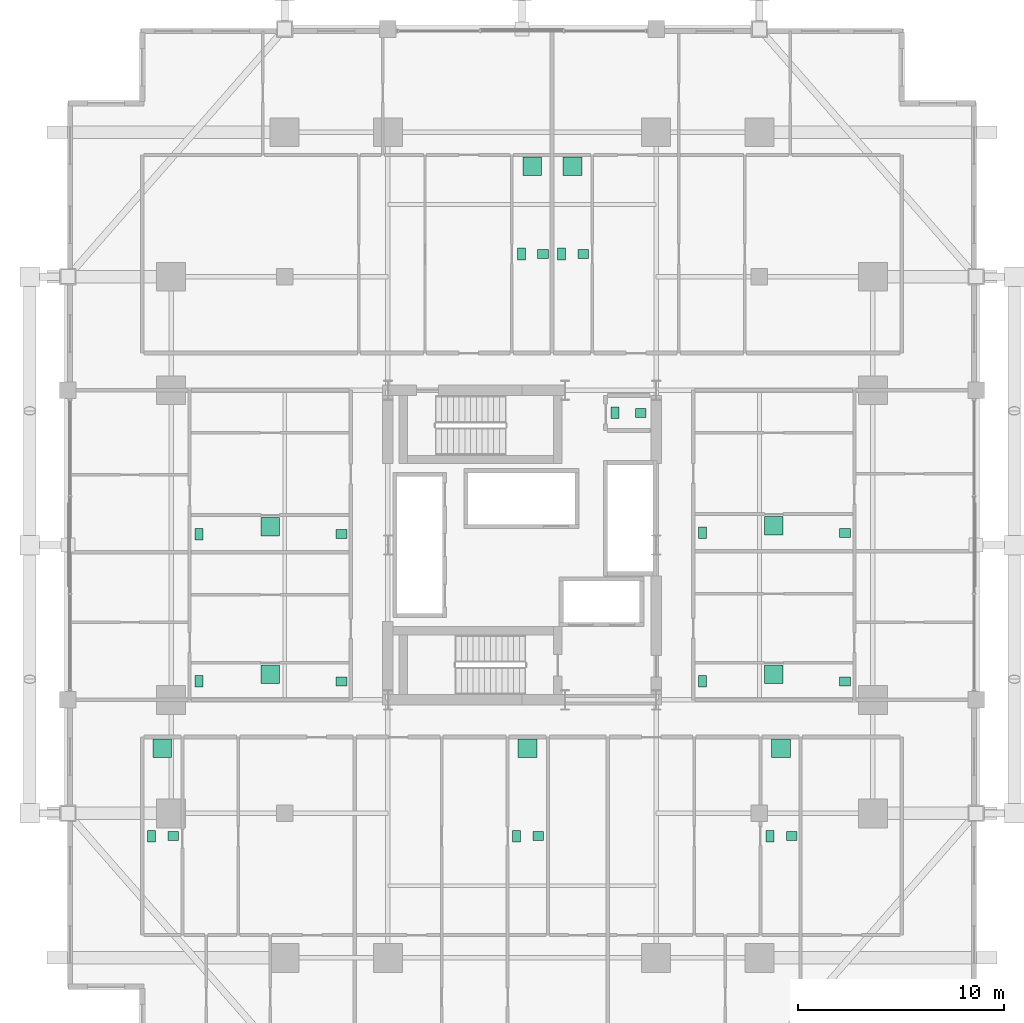
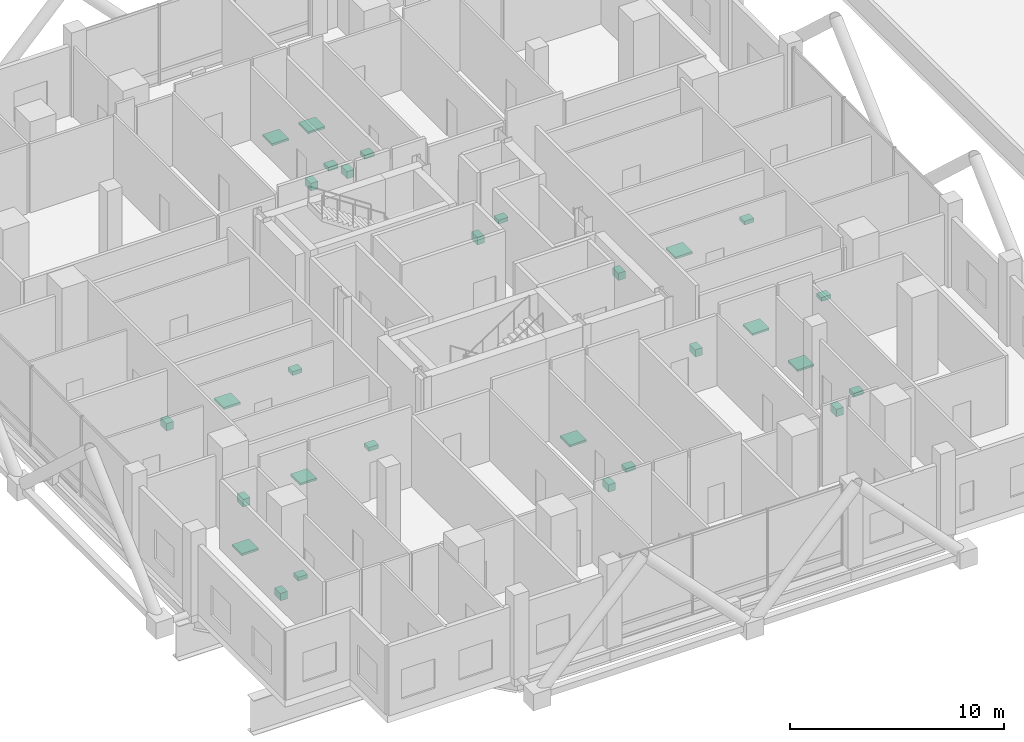
# One storey, part 33 of 33: 29 sanitary terminals.
"""IFC4 building model written with IfcOpenShell, lengths in metres."""

from ifc_helpers import new_model, si_unit, direction, frame, origin, origin_2d, place, context, subcontext, project, spatial, rectangle, extrude, material, type_object, element, save


model = new_model("IFC4")

# Units and contexts
model_context = context("Model", 3, precision=1e-05, world=origin(), true_north=direction((0.0, 1.0)))
body_context = subcontext(model_context, "Body", "Model", "MODEL_VIEW")
ifc_project = project(units=[si_unit("LENGTHUNIT", "METRE"), si_unit("AREAUNIT", "SQUARE_METRE"), si_unit("VOLUMEUNIT", "CUBIC_METRE"), si_unit("PLANEANGLEUNIT", "RADIAN"), si_unit("MASSUNIT", "GRAM", prefix="KILO")], contexts=[model_context])

# Site, building, storey
site_placement = place(None, origin())
site = spatial("IfcSite", under=ifc_project, at=site_placement, CompositionType="ELEMENT")
building_placement = place(site_placement, origin())
building = spatial("IfcBuilding", under=site, at=building_placement, Name="Barlavira Tower and Art Museum", CompositionType="ELEMENT")
storey_placement = place(building_placement, frame((0.0, 0.0, 27.60009765625)))
storey = spatial("IfcBuildingStorey", under=building, at=storey_placement, Name="L05", CompositionType="ELEMENT", Elevation=27.60009765625)

# Sanitary terminals
ifc_material = material(Name="Vitreous glazed ceramic", Category="ceramic")
sanitary_terminal_type_1 = type_object("IfcSanitaryTerminalType", Name="Countertop Ceramic Wash Hand Basin", PredefinedType="WASHHANDBASIN", material=ifc_material)
for number, where, z_axis, x_axis, name in (
    (1, (5.75, 6.39990234375, 0.73974609375), (0.0, 0.0, 1.0), (1.0, 0.0, 0.0), "L05-C-AWC4 Wash Basin"),
    (2, (-16.89990234375, -14.10009765625, 0.73974609375), (0.0, 0.0, 1.0), (1.0, 0.0, 0.0), "L05-S1-BTH1 Wash Basin"),
    (3, (0.7900390625, -14.10009765625, 0.73974609375), (0.0, 0.0, 1.0), (1.0, 0.0, 0.0), "L05-S2-BTH1 Wash Basin"),
    (4, (13.070068359375, -14.10009765625, 0.73974609375), (0.0, 0.0, 1.0), (1.0, 0.0, 0.0), "L05-S3-BTH1 Wash Basin"),
    (5, (1.02001953125, 14.10009765625, 0.73974609375), (0.0, 0.0, 1.0), (1.0, 0.0, 0.0), "L05-N1-BTH1 Wash Basin"),
    (6, (2.969970703125, 14.10009765625, 0.73974609375), (0.0, 0.0, 1.0), (1.0, 0.0, 0.0), "L05-N2-BTH1 Wash Basin"),
    (7, (-8.75, -6.60009765625, 0.73974609375), (0.0, 0.0, 1.0), (1.0, 0.0, 0.0), "L05-W1-BTH1 Wash Basin"),
    (8, (-8.75, 0.530029296875, 0.73974609375), (0.0, 0.0, 1.0), (1.0, 0.0, 0.0), "L05-W2-BTH1 Wash Basin"),
    (9, (15.64990234375, -6.60009765625, 0.73974609375), (0.0, 0.0, 1.0), (1.0, 0.0, 0.0), "L05-E1-BTH1 Wash Basin"),
    (10, (15.64990234375, 0.590087890625, 0.73974609375), (0.0, 0.0, 1.0), (1.0, 0.0, 0.0), "L05-E2-BTH1 Wash Basin"),
):
    element("IfcSanitaryTerminal", number, at=place(storey_placement, frame(where, z_axis=z_axis, x_axis=x_axis)), inside=storey, type_object=sanitary_terminal_type_1, Name=name, PredefinedType="WASHHANDBASIN", context=body_context, shape_type="SweptSolid", body=[
        extrude(rectangle(XDim=0.52001953125, YDim=0.43994140625, at=origin_2d()), origin(), (0.0, 0.0, 1.0), 0.219970703125),
    ])
sanitary_terminal_type_2 = type_object("IfcSanitaryTerminalType", Name="Walk-In Thermostatic Rain Shower Unit", PredefinedType="SHOWER", material=ifc_material)
for number, where, z_axis, x_axis, name in (
    (11, (-17.425048828125, -9.85009765625, -0.000244140625), (0.0, 0.0, 1.0), (1.0, 0.0, 0.0), "L05-S1-BTH1 Rain Shower"),
    (12, (0.264892578125, -9.85009765625, -0.000244140625), (0.0, 0.0, 1.0), (1.0, 0.0, 0.0), "L05-S2-BTH1 Rain Shower"),
    (13, (12.544921875, -9.85009765625, -0.000244140625), (0.0, 0.0, 1.0), (1.0, 0.0, 0.0), "L05-S3-BTH1 Rain Shower"),
    (14, (0.4951171875, 18.35009765625, -0.000244140625), (0.0, 0.0, 1.0), (1.0, 0.0, 0.0), "L05-N1-BTH1 Rain Shower"),
    (15, (2.445068359375, 18.35009765625, -0.000244140625), (0.0, 0.0, 1.0), (1.0, 0.0, 0.0), "L05-N2-BTH1 Rain Shower"),
    (16, (-12.199951171875, -6.25, -0.000244140625), (0.0, 0.0, 1.0), (1.0, 0.0, 0.0), "L05-W1-BTH1 Rain Shower"),
    (17, (-12.199951171875, 0.8798828125, -0.000244140625), (0.0, 0.0, 1.0), (1.0, 0.0, 0.0), "L05-W2-BTH1 Rain Shower"),
    (18, (12.199951171875, -6.25, -0.000244140625), (0.0, 0.0, 1.0), (1.0, 0.0, 0.0), "L05-E1-BTH1 Rain Shower"),
    (19, (12.199951171875, 0.93994140625, -0.000244140625), (0.0, 0.0, 1.0), (1.0, 0.0, 0.0), "L05-E2-BTH1 Rain Shower"),
):
    element("IfcSanitaryTerminal", number, at=place(storey_placement, frame(where, z_axis=z_axis, x_axis=x_axis)), inside=storey, type_object=sanitary_terminal_type_2, Name=name, PredefinedType="SHOWER", context=body_context, shape_type="SweptSolid", body=[
        extrude(rectangle(XDim=0.89990234375, YDim=0.89990234375, at=origin_2d()), origin(), (0.0, 0.0, 1.0), 0.1201171875),
    ])
sanitary_terminal_type_3 = type_object("IfcSanitaryTerminalType", Name="Wall-Hung Dual-Flush Vitreous WC Pan", PredefinedType="TOILETPAN", material=ifc_material)
for number, where, z_axis, x_axis, name in (
    (20, (4.5, 6.39990234375, 0.0), (0.0, 0.0, 1.0), (1.0, 0.0, 0.0), "L05-C-AWC4 WC Pan"),
    (21, (-17.949951171875, -14.10009765625, 0.0), (0.0, 0.0, 1.0), (1.0, 0.0, 0.0), "L05-S1-BTH1 WC Pan"),
    (22, (-0.260009765625, -14.10009765625, 0.0), (0.0, 0.0, 1.0), (1.0, 0.0, 0.0), "L05-S2-BTH1 WC Pan"),
    (23, (12.02001953125, -14.10009765625, 0.0), (0.0, 0.0, 1.0), (1.0, 0.0, 0.0), "L05-S3-BTH1 WC Pan"),
    (24, (-0.030029296875, 14.10009765625, 0.0), (0.0, 0.0, 1.0), (1.0, 0.0, 0.0), "L05-N1-BTH1 WC Pan"),
    (25, (1.919921875, 14.10009765625, 0.0), (0.0, 0.0, 1.0), (1.0, 0.0, 0.0), "L05-N2-BTH1 WC Pan"),
    (26, (-15.64990234375, -6.60009765625, 0.0), (0.0, 0.0, 1.0), (1.0, 0.0, 0.0), "L05-W1-BTH1 WC Pan"),
    (27, (-15.64990234375, 0.530029296875, 0.0), (0.0, 0.0, 1.0), (1.0, 0.0, 0.0), "L05-W2-BTH1 WC Pan"),
    (28, (8.75, -6.60009765625, 0.0), (0.0, 0.0, 1.0), (1.0, 0.0, 0.0), "L05-E1-BTH1 WC Pan"),
    (29, (8.75, 0.590087890625, 0.0), (0.0, 0.0, 1.0), (1.0, 0.0, 0.0), "L05-E2-BTH1 WC Pan"),
):
    element("IfcSanitaryTerminal", number, at=place(storey_placement, frame(where, z_axis=z_axis, x_axis=x_axis)), inside=storey, type_object=sanitary_terminal_type_3, Name=name, PredefinedType="TOILETPAN", context=body_context, shape_type="SweptSolid", body=[
        extrude(rectangle(XDim=0.3798828125, YDim=0.56005859375, at=origin_2d()), origin(), (0.0, 0.0, 1.0), 0.419921875),
    ])

save(model, "model.ifc")
